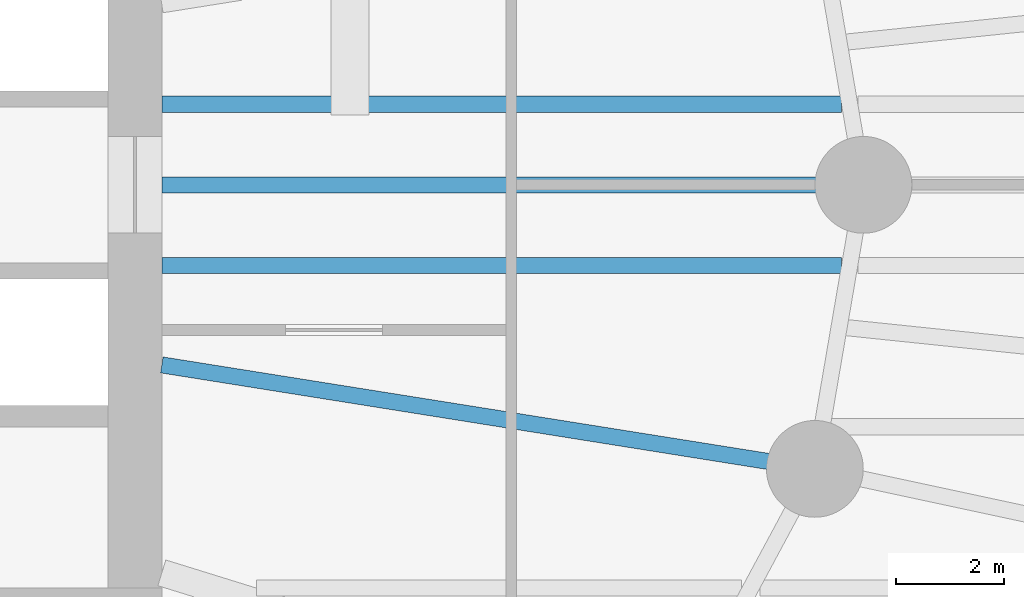
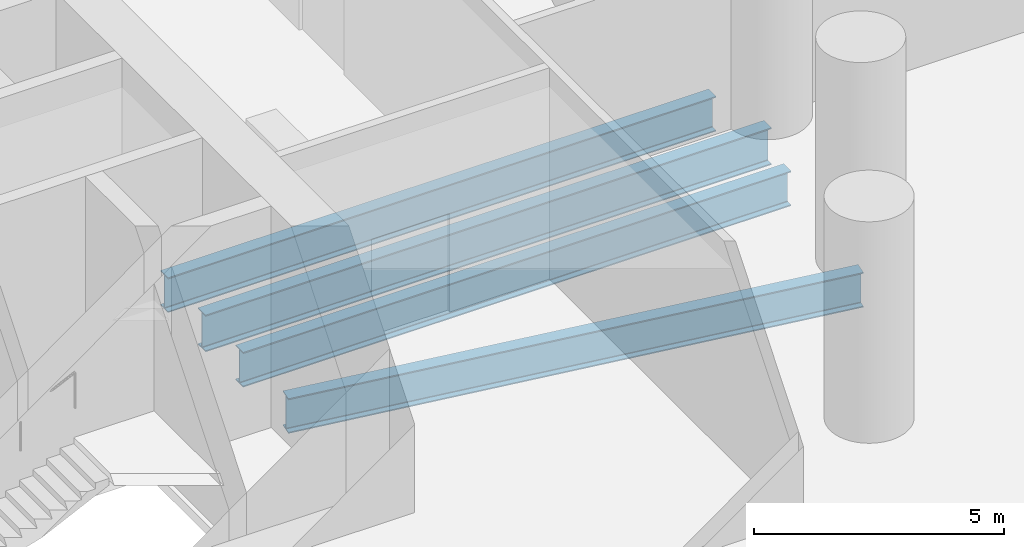
# One storey, part 6 of 23: 4 beams.
"""IFC4 building model written with IfcOpenShell, lengths in metres."""

from ifc_helpers import new_model, si_unit, direction, frame, origin, origin_2d, place, context, subcontext, project, spatial, i_section, extrude, material, material_profile, profile_set, type_object, element, save


model = new_model("IFC4")

# Units and contexts
model_context = context("Model", 3, precision=1e-05, world=origin(), true_north=direction((0.0, 1.0)))
body_context = subcontext(model_context, "Body", "Model", "MODEL_VIEW")
ifc_project = project(units=[si_unit("LENGTHUNIT", "METRE"), si_unit("AREAUNIT", "SQUARE_METRE"), si_unit("VOLUMEUNIT", "CUBIC_METRE"), si_unit("PLANEANGLEUNIT", "RADIAN"), si_unit("MASSUNIT", "GRAM", prefix="KILO")], contexts=[model_context])

# Site, building, storey
site_placement = place(None, origin())
site = spatial("IfcSite", under=ifc_project, at=site_placement, CompositionType="ELEMENT")
building_placement = place(site_placement, origin())
building = spatial("IfcBuilding", under=site, at=building_placement, Name="Hankou Lantern Tower", CompositionType="ELEMENT")
storey_placement = place(building_placement, frame((0.0, 0.0, 19.199951171875)))
storey = spatial("IfcBuildingStorey", under=building, at=storey_placement, Name="L03", CompositionType="ELEMENT", Elevation=19.199951171875)

# Beams
ifc_material_1 = material(Name="Steel Q355B", Category="steel")
ifc_material_profile_1 = material_profile(ifc_material_1, i_section(OverallWidth=0.300048828125, OverallDepth=0.85009765625, WebThickness=0.01611328125, FlangeThickness=0.027099609375, FilletRadius=0.01806640625, at=origin_2d()), Name="HN850x300x16x27")
ifc_profile_set_1 = profile_set([ifc_material_profile_1], Name="Steel Q355B")
beam_type_1 = type_object("IfcBeamType", Name="RB12 RADIAL BEAM HN850x300x16x27", PredefinedType="BEAM", material=ifc_profile_set_1)
beam_1_placement = place(storey_placement, frame((12.5, -3.349365234375, -0.675048828125), z_axis=(0.987563081343, -0.157223281893, 0.0), x_axis=(0.157223281893, 0.987563081343, 0.0)))
element("IfcBeam", 1, at=beam_1_placement, inside=storey, type_object=beam_type_1, Name="Radial beam R24 L03", PredefinedType="BEAM", context=body_context, shape_type="SweptSolid", body=[
    extrude(i_section(OverallWidth=0.300048828125, OverallDepth=0.85009765625, WebThickness=0.01611328125, FlangeThickness=0.027099609375, FilletRadius=0.01806640625, at=origin_2d()), origin(), (0.0, 0.0, 1.0), 12.300048828125),
])
ifc_material_2 = material(Name="Steel Q355B", Category="steel")
ifc_material_profile_2 = material_profile(ifc_material_2, i_section(OverallWidth=0.300048828125, OverallDepth=0.89990234375, WebThickness=0.01611328125, FlangeThickness=0.028076171875, FilletRadius=0.01806640625, at=origin_2d()), Name="HN900x300x16x28")
ifc_profile_set_2 = profile_set([ifc_material_profile_2], Name="Steel Q355B")
beam_type_2 = type_object("IfcBeamType", Name="RB13 RADIAL BEAM HN900x300x16x28", PredefinedType="BEAM", material=ifc_profile_set_2)
beam_2_placement = place(storey_placement, frame((12.5, 0.0, -0.699951171875), z_axis=(1.0, 0.0, 0.0), x_axis=(0.0, 1.0, 0.0)))
element("IfcBeam", 2, at=beam_2_placement, inside=storey, type_object=beam_type_2, Name="Radial beam R01 L03", PredefinedType="BEAM", context=body_context, shape_type="SweptSolid", body=[
    extrude(i_section(OverallWidth=0.300048828125, OverallDepth=0.89990234375, WebThickness=0.01611328125, FlangeThickness=0.028076171875, FilletRadius=0.01806640625, at=origin_2d()), origin(), (0.0, 0.0, 1.0), 13.050048828125),
])
ifc_material_3 = material(Name="Steel Q355B", Category="steel")
ifc_material_profile_3 = material_profile(ifc_material_3, i_section(OverallWidth=0.300048828125, OverallDepth=0.85009765625, WebThickness=0.01611328125, FlangeThickness=0.027099609375, FilletRadius=0.01806640625, at=origin_2d()), Name="HN850x300x16x27")
ifc_profile_set_3 = profile_set([ifc_material_profile_3], Name="Steel Q355B")
beam_type_3 = type_object("IfcBeamType", Name="SB12 SECONDARY BEAM HN850x300x16x27", PredefinedType="JOIST", material=ifc_profile_set_3)
for number, where, z_axis, x_axis, name in (
    (3, (12.5, -1.5, -0.675048828125), (1.0, 0.0, 0.0), (0.0, 1.0, 0.0), "Floor joist J083 L03"),
    (4, (12.5, 1.5, -0.675048828125), (1.0, 0.0, 0.0), (0.0, 1.0, 0.0), "Floor joist J087 L03"),
):
    element("IfcBeam", number, at=place(storey_placement, frame(where, z_axis=z_axis, x_axis=x_axis)), inside=storey, type_object=beam_type_3, Name=name, PredefinedType="JOIST", context=body_context, shape_type="SweptSolid", body=[
        extrude(i_section(OverallWidth=0.300048828125, OverallDepth=0.85009765625, WebThickness=0.01611328125, FlangeThickness=0.027099609375, FilletRadius=0.01806640625, at=origin_2d()), origin(), (0.0, 0.0, 1.0), 12.641357421875),
    ])

save(model, "model.ifc")
